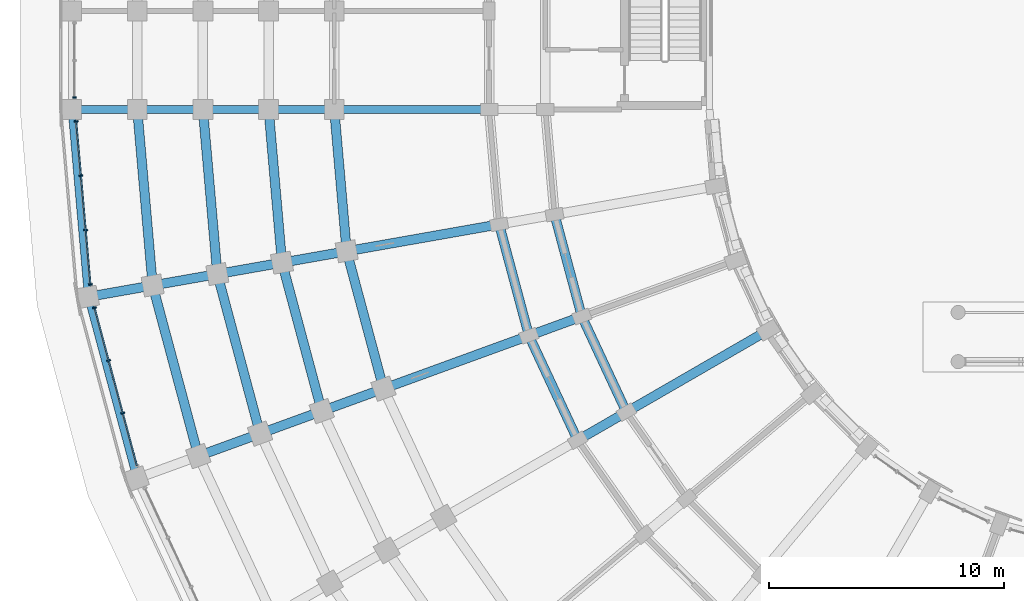
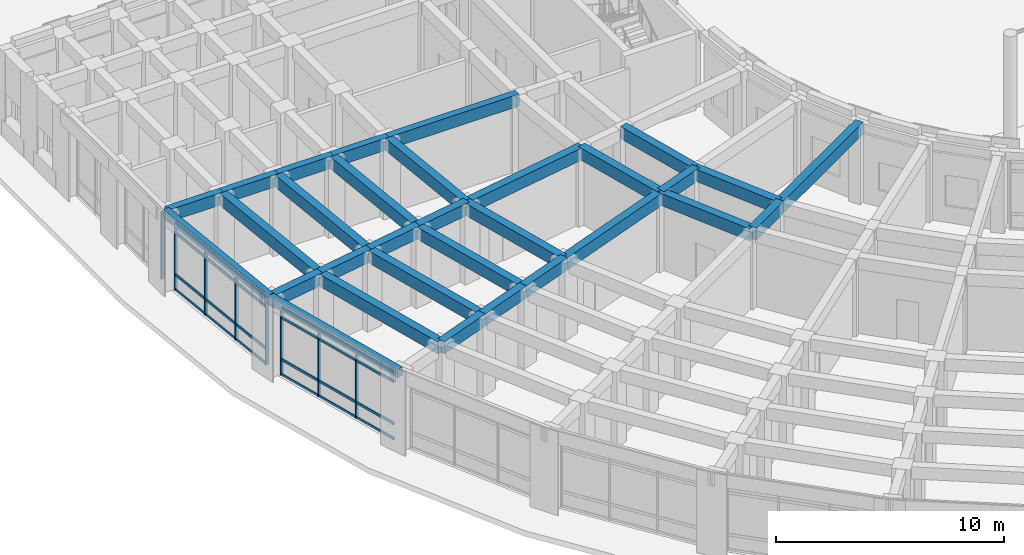
# One storey, part 19 of 135: 31 beams, 16 members, 3 elements without a shape of their own.
"""IFC4 building model written with IfcOpenShell, lengths in metres."""

from ifc_helpers import new_model, si_unit, direction, frame, origin, origin_2d, place, context, subcontext, project, spatial, rectangle, extrude, material, material_profile, profile_set, type_object, element, aggregate, save


model = new_model("IFC4")

# Units and contexts
model_context = context("Model", 3, precision=1e-05, world=origin(), true_north=direction((0.0, 1.0)))
body_context = subcontext(model_context, "Body", "Model", "MODEL_VIEW")
ifc_project = project(units=[si_unit("LENGTHUNIT", "METRE"), si_unit("AREAUNIT", "SQUARE_METRE"), si_unit("VOLUMEUNIT", "CUBIC_METRE"), si_unit("PLANEANGLEUNIT", "RADIAN"), si_unit("MASSUNIT", "GRAM", prefix="KILO")], contexts=[model_context])

# Site, building, storey
site_placement = place(None, origin())
site = spatial("IfcSite", under=ifc_project, at=site_placement, CompositionType="ELEMENT")
building_placement = place(site_placement, origin())
building = spatial("IfcBuilding", under=site, at=building_placement, Name="Kiranvali Square Residences", CompositionType="ELEMENT")
storey_placement = place(building_placement, origin())
storey = spatial("IfcBuildingStorey", under=building, at=storey_placement, Name="L00", CompositionType="ELEMENT", Elevation=0.0)

# Beams
ifc_material_1 = material(Name="Concrete M40 (40 MPa)", Category="concrete")
ifc_material_profile_1 = material_profile(ifc_material_1, rectangle(XDim=0.35009765625, YDim=0.64990234375, at=origin_2d()), Name="RC 350x650")
ifc_profile_set_1 = profile_set([ifc_material_profile_1], Name="Concrete M40 (40 MPa)")
beam_type_1 = type_object("IfcBeamType", Name="BM-M40-350x650", PredefinedType="BEAM", material=ifc_profile_set_1)
beam_1_placement = place(storey_placement, frame((20.0, 48.199951171875, 3.824951171875), z_axis=(-1.0, 0.0, 0.0), x_axis=(0.0, -1.0, 0.0)))
element("IfcBeam", 1, at=beam_1_placement, inside=storey, type_object=beam_type_1, Name="L00 beam BM-C-L00-A2T0-23", PredefinedType="BEAM", context=body_context, shape_type="SweptSolid", body=[
    extrude(rectangle(XDim=0.35009765625, YDim=0.64990234375, at=origin_2d()), origin(), (0.0, 0.0, 1.0), 6.60009765625),
])
beam_2_placement = place(storey_placement, frame((13.39990234375, 48.199951171875, 3.824951171875), z_axis=(-1.0, 0.0, 0.0), x_axis=(0.0, -1.0, 0.0)))
element("IfcBeam", 2, at=beam_2_placement, inside=storey, type_object=beam_type_1, Name="L00 beam BM-C-L00-A2T0-34", PredefinedType="BEAM", context=body_context, shape_type="SweptSolid", body=[
    extrude(rectangle(XDim=0.35009765625, YDim=0.64990234375, at=origin_2d()), origin(), (0.0, 0.0, 1.0), 2.7998046875),
])
for number, where, z_axis, x_axis, name in (
    (3, (10.60009765625, 48.199951171875, 3.824951171875), (-1.0, 0.0, 0.0), (0.0, -1.0, 0.0), "L00 beam BM-C-L00-A2T0-45"),
    (4, (7.800048828125, 48.199951171875, 3.824951171875), (-1.0, 0.0, 0.0), (0.0, -1.0, 0.0), "L00 beam BM-C-L00-A2T0-56"),
    (5, (5.0, 48.199951171875, 3.824951171875), (-1.0, 0.0, 0.0), (0.0, -1.0, 0.0), "L00 beam BM-C-L00-A2T0-67"),
):
    element("IfcBeam", number, at=place(storey_placement, frame(where, z_axis=z_axis, x_axis=x_axis)), inside=storey, type_object=beam_type_1, Name=name, PredefinedType="BEAM", context=body_context, shape_type="SweptSolid", body=[
        extrude(rectangle(XDim=0.35009765625, YDim=0.64990234375, at=origin_2d()), origin(), (0.0, 0.0, 1.0), 2.800048828125),
    ])
ifc_material_2 = material(Name="Concrete M45 (45 MPa)", Category="concrete")
ifc_material_profile_2 = material_profile(ifc_material_2, rectangle(XDim=0.39990234375, YDim=0.64990234375, at=origin_2d()), Name="RC 400x650")
ifc_profile_set_2 = profile_set([ifc_material_profile_2], Name="Concrete M45 (45 MPa)")
beam_type_2 = type_object("IfcBeamType", Name="BM-M45-400x650", PredefinedType="BEAM", material=ifc_profile_set_2)
beam_3_placement = place(storey_placement, frame((25.8564453125, 35.300048828125, 3.824951171875), z_axis=(-0.422617978463, 0.906307919131, 0.0), x_axis=(-0.906307919131, -0.422617978463, 0.0)))
element("IfcBeam", 6, at=beam_3_placement, inside=storey, type_object=beam_type_2, Name="L00 beam BM-C-L00-C06-R1", PredefinedType="BEAM", context=body_context, shape_type="SweptSolid", body=[
    extrude(rectangle(XDim=0.39990234375, YDim=0.64990234375, at=origin_2d()), origin(), (0.0, 0.0, 1.0), 4.497314453125),
])
beam_4_placement = place(storey_placement, frame((23.778076171875, 34.10009765625, 3.824951171875), z_axis=(-0.422629854778, 0.906302381024, 0.0), x_axis=(-0.906302381024, -0.422629854778, 0.0)))
element("IfcBeam", 7, at=beam_4_placement, inside=storey, type_object=beam_type_2, Name="L00 beam BM-C-L00-C06-R2", PredefinedType="BEAM", context=body_context, shape_type="SweptSolid", body=[
    extrude(rectangle(XDim=0.39990234375, YDim=0.64990234375, at=origin_2d()), origin(), (0.0, 0.0, 1.0), 4.915283203125),
])
beam_5_placement = place(storey_placement, frame((23.955810546875, 39.3759765625, 3.824951171875), z_axis=(-0.258787642463, 0.965934240054, 0.0), x_axis=(-0.965934240054, -0.258787642463, 0.0)))
element("IfcBeam", 8, at=beam_5_placement, inside=storey, type_object=beam_type_2, Name="L00 beam BM-C-L00-C07-R1", PredefinedType="BEAM", context=body_context, shape_type="SweptSolid", body=[
    extrude(rectangle(XDim=0.39990234375, YDim=0.64990234375, at=origin_2d()), origin(), (0.0, 0.0, 1.0), 4.497314453125),
])
beam_6_placement = place(storey_placement, frame((21.70068359375, 38.554931640625, 3.824951171875), z_axis=(-0.258803112091, 0.965930095386, 0.0), x_axis=(-0.965930095386, -0.258803112091, 0.0)))
element("IfcBeam", 9, at=beam_6_placement, inside=storey, type_object=beam_type_2, Name="L00 beam BM-C-L00-C07-R2", PredefinedType="BEAM", context=body_context, shape_type="SweptSolid", body=[
    extrude(rectangle(XDim=0.39990234375, YDim=0.64990234375, at=origin_2d()), origin(), (0.0, 0.0, 1.0), 4.915771484375),
])
beam_7_placement = place(storey_placement, frame((15.498779296875, 36.297607421875, 3.824951171875), z_axis=(-0.258827283048, 0.965923618901, 0.0), x_axis=(-0.965923618901, -0.258827283048, 0.0)))
element("IfcBeam", 10, at=beam_7_placement, inside=storey, type_object=beam_type_2, Name="L00 beam BM-C-L00-C07-R3", PredefinedType="BEAM", context=body_context, shape_type="SweptSolid", body=[
    extrude(rectangle(XDim=0.39990234375, YDim=0.64990234375, at=origin_2d()), origin(), (0.0, 0.0, 1.0), 6.066162109375),
])
beam_8_placement = place(storey_placement, frame((12.86767578125, 35.340087890625, 3.824951171875), z_axis=(-0.258847178297, 0.965918287583, 0.0), x_axis=(-0.965918287583, -0.258847178297, 0.0)))
element("IfcBeam", 11, at=beam_8_placement, inside=storey, type_object=beam_type_2, Name="L00 beam BM-C-L00-C07-R4", PredefinedType="BEAM", context=body_context, shape_type="SweptSolid", body=[
    extrude(rectangle(XDim=0.39990234375, YDim=0.64990234375, at=origin_2d()), origin(), (0.0, 0.0, 1.0), 6.55419921875),
])
beam_9_placement = place(storey_placement, frame((10.236328125, 34.38232421875, 3.824951171875), z_axis=(-0.258799624492, 0.965931029817, 0.0), x_axis=(-0.965931029817, -0.258799624492, 0.0)))
element("IfcBeam", 12, at=beam_9_placement, inside=storey, type_object=beam_type_2, Name="L00 beam BM-C-L00-C07-R5", PredefinedType="BEAM", context=body_context, shape_type="SweptSolid", body=[
    extrude(rectangle(XDim=0.39990234375, YDim=0.64990234375, at=origin_2d()), origin(), (0.0, 0.0, 1.0), 7.042236328125),
])
beam_10_placement = place(storey_placement, frame((7.605224609375, 33.4248046875, 3.824951171875), z_axis=(-0.258818733833, 0.965925909693, 0.0), x_axis=(-0.965925909693, -0.258818733833, 0.0)))
element("IfcBeam", 13, at=beam_10_placement, inside=storey, type_object=beam_type_2, Name="L00 beam BM-C-L00-C07-R6", PredefinedType="BEAM", context=body_context, shape_type="SweptSolid", body=[
    extrude(rectangle(XDim=0.39990234375, YDim=0.64990234375, at=origin_2d()), origin(), (0.0, 0.0, 1.0), 7.5302734375),
])
beam_11_placement = place(storey_placement, frame((13.9287109375, 42.156982421875, 3.824951171875), z_axis=(-0.087174938512, 0.996193018494, 0.0), x_axis=(-0.996193018494, -0.087174938512, 0.0)))
element("IfcBeam", 14, at=beam_11_placement, inside=storey, type_object=beam_type_2, Name="L00 beam BM-C-L00-C08-R3", PredefinedType="BEAM", context=body_context, shape_type="SweptSolid", body=[
    extrude(rectangle(XDim=0.39990234375, YDim=0.64990234375, at=origin_2d()), origin(), (0.0, 0.0, 1.0), 6.066162109375),
])
beam_12_placement = place(storey_placement, frame((11.171142578125, 41.6708984375, 3.824951171875), z_axis=(-0.0871295204, 0.996196991902, 0.0), x_axis=(-0.996196991902, -0.0871295204, 0.0)))
element("IfcBeam", 15, at=beam_12_placement, inside=storey, type_object=beam_type_2, Name="L00 beam BM-C-L00-C08-R4", PredefinedType="BEAM", context=body_context, shape_type="SweptSolid", body=[
    extrude(rectangle(XDim=0.39990234375, YDim=0.64990234375, at=origin_2d()), origin(), (0.0, 0.0, 1.0), 6.553955078125),
])
beam_13_placement = place(storey_placement, frame((8.413818359375, 41.1845703125, 3.824951171875), z_axis=(-0.087156198737, 0.996194658198, 0.0), x_axis=(-0.996194658198, -0.087156198737, 0.0)))
element("IfcBeam", 16, at=beam_13_placement, inside=storey, type_object=beam_type_2, Name="L00 beam BM-C-L00-C08-R5", PredefinedType="BEAM", context=body_context, shape_type="SweptSolid", body=[
    extrude(rectangle(XDim=0.39990234375, YDim=0.64990234375, at=origin_2d()), origin(), (0.0, 0.0, 1.0), 7.042236328125),
])
beam_14_placement = place(storey_placement, frame((5.65625, 40.698486328125, 3.824951171875), z_axis=(-0.087150058103, 0.996195195417, 0.0), x_axis=(-0.996195195417, -0.087150058103, 0.0)))
element("IfcBeam", 17, at=beam_14_placement, inside=storey, type_object=beam_type_2, Name="L00 beam BM-C-L00-C08-R6", PredefinedType="BEAM", context=body_context, shape_type="SweptSolid", body=[
    extrude(rectangle(XDim=0.39990234375, YDim=0.64990234375, at=origin_2d()), origin(), (0.0, 0.0, 1.0), 7.530029296875),
])
beam_15_placement = place(storey_placement, frame((31.918701171875, 38.800048828125, 3.824951171875), z_axis=(-0.866028190633, -0.499995173006, 0.0), x_axis=(0.499995173006, -0.866028190633, 0.0)))
element("IfcBeam", 18, at=beam_15_placement, inside=storey, type_object=beam_type_2, Name="L00 beam BM-C-L00-RAD06-01", PredefinedType="BEAM", context=body_context, shape_type="SweptSolid", body=[
    extrude(rectangle(XDim=0.39990234375, YDim=0.64990234375, at=origin_2d()), origin(), (0.0, 0.0, 1.0), 7.0),
])
for number, where, z_axis, x_axis, name in (
    (19, (25.8564453125, 35.300048828125, 3.824951171875), (-0.866024647952, -0.500001309137, 0.0), (0.500001309137, -0.866024647952, 0.0), "L00 beam BM-C-L00-RAD06-12"),
    (20, (23.955810546875, 39.3759765625, 3.824951171875), (-0.939659694648, -0.342110593602, 0.0), (0.342110593602, -0.939659694648, 0.0), "L00 beam BM-C-L00-RAD07-12"),
):
    element("IfcBeam", number, at=place(storey_placement, frame(where, z_axis=z_axis, x_axis=x_axis)), inside=storey, type_object=beam_type_2, Name=name, PredefinedType="BEAM", context=body_context, shape_type="SweptSolid", body=[
        extrude(rectangle(XDim=0.39990234375, YDim=0.64990234375, at=origin_2d()), origin(), (0.0, 0.0, 1.0), 2.39990234375),
    ])
beam_16_placement = place(storey_placement, frame((21.70068359375, 38.554931640625, 3.824951171875), z_axis=(-0.939691858249, -0.342022238372, 0.0), x_axis=(0.342022238372, -0.939691858249, 0.0)))
element("IfcBeam", 21, at=beam_16_placement, inside=storey, type_object=beam_type_2, Name="L00 beam BM-C-L00-RAD07-23", PredefinedType="BEAM", context=body_context, shape_type="SweptSolid", body=[
    extrude(rectangle(XDim=0.39990234375, YDim=0.64990234375, at=origin_2d()), origin(), (0.0, 0.0, 1.0), 6.599853515625),
])
beam_17_placement = place(storey_placement, frame((15.498779296875, 36.297607421875, 3.824951171875), z_axis=(-0.93970683422, -0.341981089711, 0.0), x_axis=(0.341981089711, -0.93970683422, 0.0)))
element("IfcBeam", 22, at=beam_17_placement, inside=storey, type_object=beam_type_2, Name="L00 beam BM-C-L00-RAD07-34", PredefinedType="BEAM", context=body_context, shape_type="SweptSolid", body=[
    extrude(rectangle(XDim=0.39990234375, YDim=0.64990234375, at=origin_2d()), origin(), (0.0, 0.0, 1.0), 2.7998046875),
])
beam_18_placement = place(storey_placement, frame((12.86767578125, 35.340087890625, 3.824951171875), z_axis=(-0.939689011208, -0.342030060398, 0.0), x_axis=(0.342030060398, -0.939689011208, 0.0)))
element("IfcBeam", 23, at=beam_18_placement, inside=storey, type_object=beam_type_2, Name="L00 beam BM-C-L00-RAD07-45", PredefinedType="BEAM", context=body_context, shape_type="SweptSolid", body=[
    extrude(rectangle(XDim=0.39990234375, YDim=0.64990234375, at=origin_2d()), origin(), (0.0, 0.0, 1.0), 2.80029296875),
])
beam_19_placement = place(storey_placement, frame((10.236328125, 34.38232421875, 3.824951171875), z_axis=(-0.93970683422, -0.341981089711, 0.0), x_axis=(0.341981089711, -0.93970683422, 0.0)))
element("IfcBeam", 24, at=beam_19_placement, inside=storey, type_object=beam_type_2, Name="L00 beam BM-C-L00-RAD07-56", PredefinedType="BEAM", context=body_context, shape_type="SweptSolid", body=[
    extrude(rectangle(XDim=0.39990234375, YDim=0.64990234375, at=origin_2d()), origin(), (0.0, 0.0, 1.0), 2.7998046875),
])
beam_20_placement = place(storey_placement, frame((20.428466796875, 43.30322265625, 3.824951171875), z_axis=(-0.984803661269, -0.173671381499, 0.0), x_axis=(0.173671381499, -0.984803661269, 0.0)))
element("IfcBeam", 25, at=beam_20_placement, inside=storey, type_object=beam_type_2, Name="L00 beam BM-C-L00-RAD08-23", PredefinedType="BEAM", context=body_context, shape_type="SweptSolid", body=[
    extrude(rectangle(XDim=0.39990234375, YDim=0.64990234375, at=origin_2d()), origin(), (0.0, 0.0, 1.0), 6.60009765625),
])
beam_21_placement = place(storey_placement, frame((13.9287109375, 42.156982421875, 3.824951171875), z_axis=(-0.984816895441, -0.173596320392, 0.0), x_axis=(0.173596320392, -0.984816895441, 0.0)))
element("IfcBeam", 26, at=beam_21_placement, inside=storey, type_object=beam_type_2, Name="L00 beam BM-C-L00-RAD08-34", PredefinedType="BEAM", context=body_context, shape_type="SweptSolid", body=[
    extrude(rectangle(XDim=0.39990234375, YDim=0.64990234375, at=origin_2d()), origin(), (0.0, 0.0, 1.0), 2.800048828125),
])
beam_22_placement = place(storey_placement, frame((11.171142578125, 41.6708984375, 3.824951171875), z_axis=(-0.984799355489, -0.173695795656, 0.0), x_axis=(0.173695795656, -0.984799355489, 0.0)))
element("IfcBeam", 27, at=beam_22_placement, inside=storey, type_object=beam_type_2, Name="L00 beam BM-C-L00-RAD08-45", PredefinedType="BEAM", context=body_context, shape_type="SweptSolid", body=[
    extrude(rectangle(XDim=0.39990234375, YDim=0.64990234375, at=origin_2d()), origin(), (0.0, 0.0, 1.0), 2.7998046875),
])
beam_23_placement = place(storey_placement, frame((8.413818359375, 41.1845703125, 3.824951171875), z_axis=(-0.984816895441, -0.173596320392, 0.0), x_axis=(0.173596320392, -0.984816895441, 0.0)))
element("IfcBeam", 28, at=beam_23_placement, inside=storey, type_object=beam_type_2, Name="L00 beam BM-C-L00-RAD08-56", PredefinedType="BEAM", context=body_context, shape_type="SweptSolid", body=[
    extrude(rectangle(XDim=0.39990234375, YDim=0.64990234375, at=origin_2d()), origin(), (0.0, 0.0, 1.0), 2.800048828125),
])
beam_24_placement = place(storey_placement, frame((5.65625, 40.698486328125, 3.824951171875), z_axis=(-0.984799355489, -0.173695795656, 0.0), x_axis=(0.173695795656, -0.984799355489, 0.0)))
element("IfcBeam", 29, at=beam_24_placement, inside=storey, type_object=beam_type_2, Name="L00 beam BM-C-L00-RAD08-67", PredefinedType="BEAM", context=body_context, shape_type="SweptSolid", body=[
    extrude(rectangle(XDim=0.39990234375, YDim=0.64990234375, at=origin_2d()), origin(), (0.0, 0.0, 1.0), 2.7998046875),
])

# Curtain wall, members
ifc_material_3 = material(Name="Anodised bronze aluminium framing", Category="aluminium")
curtain_wall_type = type_object("IfcCurtainWallType", Name="CW-RET-SHOP", PredefinedType="USERDEFINED", material=ifc_material_3)
curtain_wall_1_placement = place(storey_placement, origin())
curtain_wall_1 = element("IfcCurtainWall", 30, at=curtain_wall_1_placement, inside=storey, type_object=curtain_wall_type, Name="Block C L00 rounded-corner arcade curtain wall 8", ObjectType="CURTAIN WALL", PredefinedType="USERDEFINED")
ifc_material_profile_3 = material_profile(ifc_material_3, rectangle(XDim=0.06494140625, YDim=0.159912109375, at=origin_2d()), Name="ALU 65x160")
ifc_profile_set_3 = profile_set([ifc_material_profile_3], Name="Anodised bronze aluminium framing")
member_type_1 = type_object("IfcMemberType", Name="CW-MUL-160", PredefinedType="MULLION", material=ifc_profile_set_3)
member_1_placement = place(storey_placement, frame((4.38232421875, 35.255126953125, 0.02001953125), z_axis=(0.0, 0.0, 1.0), x_axis=(-0.258819045103, 0.965925826289, 0.0)))
member_1 = element("IfcMember", 31, at=member_1_placement, type_object=member_type_1, Name="CW-C-L00-CRV-07 vertical mullion 2", PredefinedType="MULLION", context=body_context, shape_type="SweptSolid", body=[
    extrude(rectangle(XDim=0.06494140625, YDim=0.159912109375, at=origin_2d()), origin(), (0.0, 0.0, 1.0), 3.60986328125),
])
member_2_placement = place(storey_placement, frame((3.7802734375, 37.501953125, 0.02001953125), z_axis=(0.0, 0.0, 1.0), x_axis=(-0.258819045103, 0.965925826289, 0.0)))
member_2 = element("IfcMember", 32, at=member_2_placement, type_object=member_type_1, Name="CW-C-L00-CRV-07 vertical mullion 3", PredefinedType="MULLION", context=body_context, shape_type="SweptSolid", body=[
    extrude(rectangle(XDim=0.06494140625, YDim=0.159912109375, at=origin_2d()), origin(), (0.0, 0.0, 1.0), 3.60986328125),
])
member_3_placement = place(storey_placement, frame((3.17822265625, 39.748779296875, 0.02001953125), z_axis=(0.0, 0.0, 1.0), x_axis=(-0.258819045103, 0.965925826289, 0.0)))
member_3 = element("IfcMember", 33, at=member_3_placement, type_object=member_type_1, Name="CW-C-L00-CRV-07 vertical mullion 4", PredefinedType="MULLION", context=body_context, shape_type="SweptSolid", body=[
    extrude(rectangle(XDim=0.06494140625, YDim=0.159912109375, at=origin_2d()), origin(), (0.0, 0.0, 1.0), 3.60986328125),
])

curtain_wall_2_placement = place(storey_placement, origin())
curtain_wall_2 = element("IfcCurtainWall", 34, at=curtain_wall_2_placement, inside=storey, type_object=curtain_wall_type, Name="Block C L00 rounded-corner arcade curtain wall 9", ObjectType="CURTAIN WALL", PredefinedType="USERDEFINED")
member_4_placement = place(storey_placement, frame((3.0029296875, 40.7431640625, 0.02001953125), z_axis=(0.0, 0.0, 1.0), x_axis=(-0.087155742748, 0.996194698092, 0.0)))
member_4 = element("IfcMember", 35, at=member_4_placement, type_object=member_type_1, Name="CW-C-L00-CRV-08 vertical mullion 1", PredefinedType="MULLION", context=body_context, shape_type="SweptSolid", body=[
    extrude(rectangle(XDim=0.06494140625, YDim=0.159912109375, at=origin_2d()), origin(), (0.0, 0.0, 1.0), 3.60986328125),
])
member_5_placement = place(storey_placement, frame((2.80029296875, 43.060546875, 0.02001953125), z_axis=(0.0, 0.0, 1.0), x_axis=(-0.087155742748, 0.996194698092, 0.0)))
member_5 = element("IfcMember", 36, at=member_5_placement, type_object=member_type_1, Name="CW-C-L00-CRV-08 vertical mullion 2", PredefinedType="MULLION", context=body_context, shape_type="SweptSolid", body=[
    extrude(rectangle(XDim=0.06494140625, YDim=0.159912109375, at=origin_2d()), origin(), (0.0, 0.0, 1.0), 3.60986328125),
])
member_6_placement = place(storey_placement, frame((2.597412109375, 45.377685546875, 0.02001953125), z_axis=(0.0, 0.0, 1.0), x_axis=(-0.087155742748, 0.996194698092, 0.0)))
member_6 = element("IfcMember", 37, at=member_6_placement, type_object=member_type_1, Name="CW-C-L00-CRV-08 vertical mullion 3", PredefinedType="MULLION", context=body_context, shape_type="SweptSolid", body=[
    extrude(rectangle(XDim=0.06494140625, YDim=0.159912109375, at=origin_2d()), origin(), (0.0, 0.0, 1.0), 3.60986328125),
])
member_7_placement = place(storey_placement, frame((2.394775390625, 47.695068359375, 0.02001953125), z_axis=(0.0, 0.0, 1.0), x_axis=(-0.087155742748, 0.996194698092, 0.0)))
member_7 = element("IfcMember", 38, at=member_7_placement, type_object=member_type_1, Name="CW-C-L00-CRV-08 vertical mullion 4", PredefinedType="MULLION", context=body_context, shape_type="SweptSolid", body=[
    extrude(rectangle(XDim=0.06494140625, YDim=0.159912109375, at=origin_2d()), origin(), (0.0, 0.0, 1.0), 3.60986328125),
])

# Curtain wall, member
curtain_wall_3_placement = place(storey_placement, origin())
curtain_wall_3 = element("IfcCurtainWall", 39, at=curtain_wall_3_placement, inside=storey, type_object=curtain_wall_type, Name="L00 curtain wall CW-C-L00-A2-0", ObjectType="CURTAIN WALL", PredefinedType="USERDEFINED")
member_8_placement = place(storey_placement, frame((2.320068359375, 48.719970703125, 0.02001953125), z_axis=(0.0, 0.0, 1.0), x_axis=(0.0, 1.0, 0.0)))
member_8 = element("IfcMember", 40, at=member_8_placement, type_object=member_type_1, Name="CW-C-L00-A2-0 vertical mullion 1", PredefinedType="MULLION", context=body_context, shape_type="SweptSolid", body=[
    extrude(rectangle(XDim=0.06494140625, YDim=0.159912109375, at=origin_2d()), origin(), (0.0, 0.0, 1.0), 3.60986328125),
])
aggregate(curtain_wall_3, [member_8])

# Member
ifc_material_profile_4 = material_profile(ifc_material_3, rectangle(XDim=0.06494140625, YDim=0.139892578125, at=origin_2d()), Name="ALU 65x140")
ifc_profile_set_4 = profile_set([ifc_material_profile_4], Name="Anodised bronze aluminium framing")
member_type_2 = type_object("IfcMemberType", Name="CW-TRN-140", PredefinedType="MULLION", material=ifc_profile_set_4)
member_9_placement = place(storey_placement, frame((4.98193359375, 33.017822265625, 0.0400390625), z_axis=(-0.258830788495, 0.96592267958, 0.0), x_axis=(-0.96592267958, -0.258830788495, 0.0)))
member_9 = element("IfcMember", 41, at=member_9_placement, type_object=member_type_2, Name="CW-C-L00-CRV-07 horizontal transom 1", PredefinedType="MULLION", context=body_context, shape_type="SweptSolid", body=[
    extrude(rectangle(XDim=0.06494140625, YDim=0.139892578125, at=origin_2d()), origin(), (0.0, 0.0, 1.0), 6.958251953125),
])

member_10_placement = place(storey_placement, frame((4.98193359375, 33.017822265625, 0.85009765625), z_axis=(-0.258830788495, 0.96592267958, 0.0), x_axis=(-0.96592267958, -0.258830788495, 0.0)))
member_10 = element("IfcMember", 42, at=member_10_placement, type_object=member_type_2, Name="CW-C-L00-CRV-07 horizontal transom 2", PredefinedType="MULLION", context=body_context, shape_type="SweptSolid", body=[
    extrude(rectangle(XDim=0.06494140625, YDim=0.139892578125, at=origin_2d()), origin(), (0.0, 0.0, 1.0), 6.958251953125),
])

member_11_placement = place(storey_placement, frame((4.98193359375, 33.017822265625, 3.10009765625), z_axis=(-0.258830788495, 0.96592267958, 0.0), x_axis=(-0.96592267958, -0.258830788495, 0.0)))
member_11 = element("IfcMember", 43, at=member_11_placement, type_object=member_type_2, Name="CW-C-L00-CRV-07 horizontal transom 3", PredefinedType="MULLION", context=body_context, shape_type="SweptSolid", body=[
    extrude(rectangle(XDim=0.06494140625, YDim=0.139892578125, at=origin_2d()), origin(), (0.0, 0.0, 1.0), 6.958251953125),
])

member_12_placement = place(storey_placement, frame((4.98193359375, 33.017822265625, 3.610107421875), z_axis=(-0.258830788495, 0.96592267958, 0.0), x_axis=(-0.96592267958, -0.258830788495, 0.0)))
member_12 = element("IfcMember", 44, at=member_12_placement, type_object=member_type_2, Name="CW-C-L00-CRV-07 horizontal transom 4", PredefinedType="MULLION", context=body_context, shape_type="SweptSolid", body=[
    extrude(rectangle(XDim=0.06494140625, YDim=0.139892578125, at=origin_2d()), origin(), (0.0, 0.0, 1.0), 6.958251953125),
])

aggregate(curtain_wall_1, [member_1, member_2, member_3, member_9, member_10, member_11, member_12])

member_13_placement = place(storey_placement, frame((3.002197265625, 40.753173828125, 0.0400390625), z_axis=(-0.087188277046, 0.996191851174, 0.0), x_axis=(-0.996191851174, -0.087188277046, 0.0)))
member_13 = element("IfcMember", 45, at=member_13_placement, type_object=member_type_2, Name="CW-C-L00-CRV-08 horizontal transom 1", PredefinedType="MULLION", context=body_context, shape_type="SweptSolid", body=[
    extrude(rectangle(XDim=0.06494140625, YDim=0.139892578125, at=origin_2d()), origin(), (0.0, 0.0, 1.0), 6.95849609375),
])

member_14_placement = place(storey_placement, frame((3.002197265625, 40.753173828125, 0.85009765625), z_axis=(-0.087188277046, 0.996191851174, 0.0), x_axis=(-0.996191851174, -0.087188277046, 0.0)))
member_14 = element("IfcMember", 46, at=member_14_placement, type_object=member_type_2, Name="CW-C-L00-CRV-08 horizontal transom 2", PredefinedType="MULLION", context=body_context, shape_type="SweptSolid", body=[
    extrude(rectangle(XDim=0.06494140625, YDim=0.139892578125, at=origin_2d()), origin(), (0.0, 0.0, 1.0), 6.95849609375),
])

member_15_placement = place(storey_placement, frame((3.002197265625, 40.753173828125, 3.10009765625), z_axis=(-0.087188277046, 0.996191851174, 0.0), x_axis=(-0.996191851174, -0.087188277046, 0.0)))
member_15 = element("IfcMember", 47, at=member_15_placement, type_object=member_type_2, Name="CW-C-L00-CRV-08 horizontal transom 3", PredefinedType="MULLION", context=body_context, shape_type="SweptSolid", body=[
    extrude(rectangle(XDim=0.06494140625, YDim=0.139892578125, at=origin_2d()), origin(), (0.0, 0.0, 1.0), 6.95849609375),
])

member_16_placement = place(storey_placement, frame((3.002197265625, 40.753173828125, 3.610107421875), z_axis=(-0.087188277046, 0.996191851174, 0.0), x_axis=(-0.996191851174, -0.087188277046, 0.0)))
member_16 = element("IfcMember", 48, at=member_16_placement, type_object=member_type_2, Name="CW-C-L00-CRV-08 horizontal transom 4", PredefinedType="MULLION", context=body_context, shape_type="SweptSolid", body=[
    extrude(rectangle(XDim=0.06494140625, YDim=0.139892578125, at=origin_2d()), origin(), (0.0, 0.0, 1.0), 6.95849609375),
])

aggregate(curtain_wall_2, [member_4, member_5, member_6, member_7, member_13, member_14, member_15, member_16])

# Beams
ifc_material_profile_5 = material_profile(ifc_material_1, rectangle(XDim=0.300048828125, YDim=0.449951171875, at=origin_2d()), Name="RC 300x450")
ifc_profile_set_5 = profile_set([ifc_material_profile_5], Name="Concrete M40 (40 MPa)")
beam_type_3 = type_object("IfcBeamType", Name="SPN-M40-300x450", PredefinedType="SPANDREL", material=ifc_profile_set_5)
for number, where, z_axis, x_axis, name in (
    (49, (4.97412109375, 32.467041015625, 3.925048828125), (-0.258807108475, 0.96592902462, 0.0), (-0.96592902462, -0.258807108475, 0.0), "L00 beam BM-C-L00-C07-R7"),
    (50, (2.89892578125, 40.212158203125, 3.925048828125), (-0.087172238171, 0.996193254792, 0.0), (-0.996193254792, -0.087172238171, 0.0), "L00 beam BM-C-L00-C08-R7"),
):
    element("IfcBeam", number, at=place(storey_placement, frame(where, z_axis=z_axis, x_axis=x_axis)), inside=storey, type_object=beam_type_3, Name=name, PredefinedType="SPANDREL", context=body_context, shape_type="SweptSolid", body=[
        extrude(rectangle(XDim=0.300048828125, YDim=0.449951171875, at=origin_2d()), origin(), (0.0, 0.0, 1.0), 8.018310546875),
    ])

save(model, "model.ifc")
